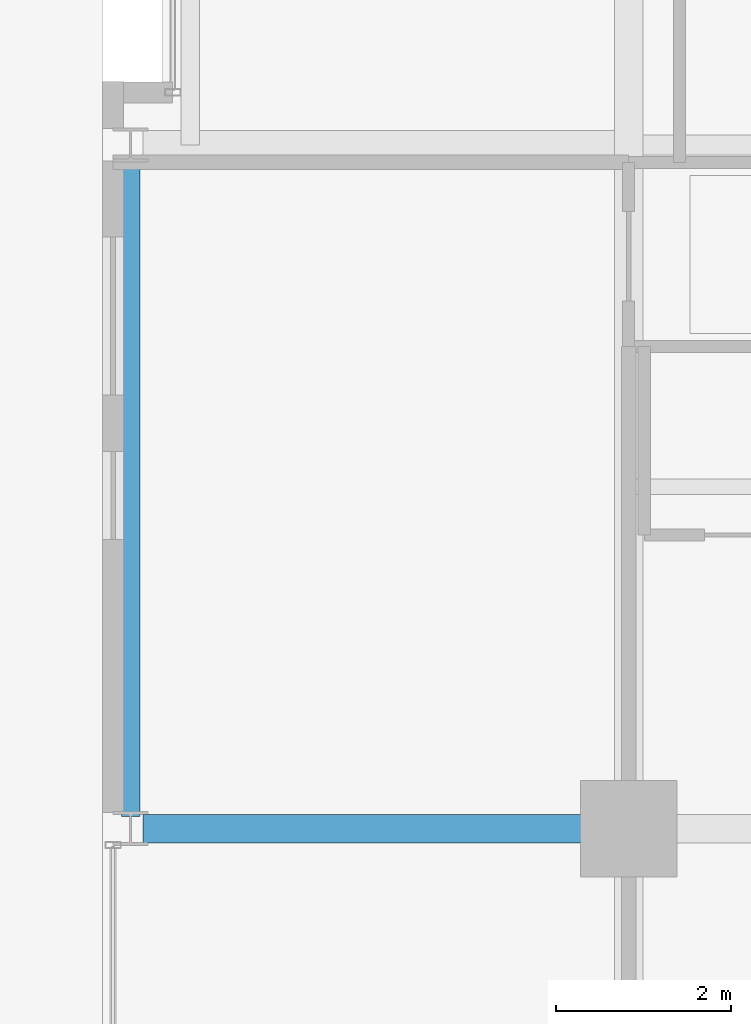
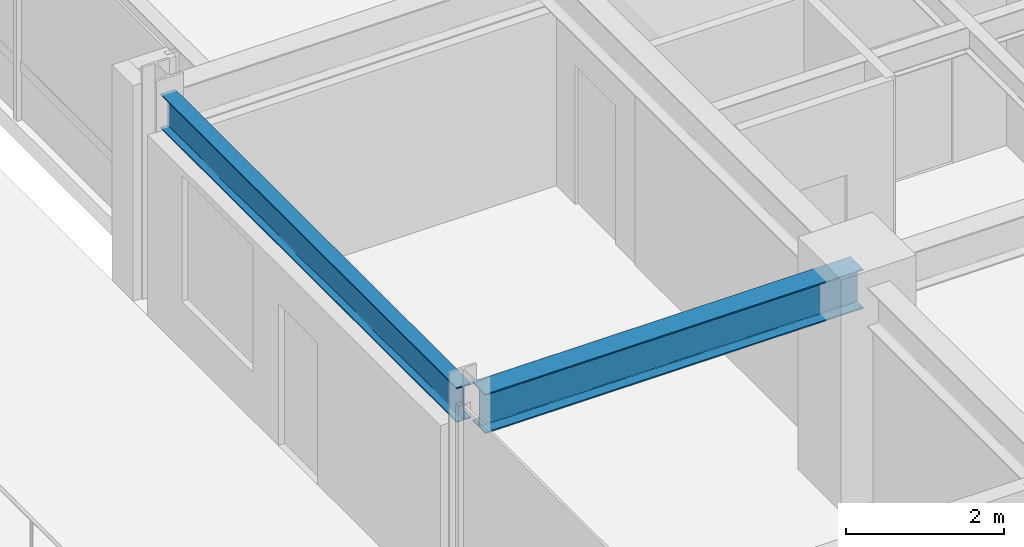
# One storey, part 3 of 32: 2 beams.
"""IFC4 building model written with IfcOpenShell, lengths in metres."""

from ifc_helpers import new_model, si_unit, direction, frame, origin, origin_2d, place, context, subcontext, project, spatial, i_section, extrude, material, material_profile, profile_set, type_object, element, save


model = new_model("IFC4")

# Units and contexts
model_context = context("Model", 3, precision=1e-05, world=origin(), true_north=direction((0.0, 1.0)))
body_context = subcontext(model_context, "Body", "Model", "MODEL_VIEW")
ifc_project = project(units=[si_unit("LENGTHUNIT", "METRE"), si_unit("AREAUNIT", "SQUARE_METRE"), si_unit("VOLUMEUNIT", "CUBIC_METRE"), si_unit("PLANEANGLEUNIT", "RADIAN"), si_unit("MASSUNIT", "GRAM", prefix="KILO")], contexts=[model_context])

# Site, building, storey
site_placement = place(None, origin())
site = spatial("IfcSite", under=ifc_project, at=site_placement, CompositionType="ELEMENT")
building_placement = place(site_placement, origin())
building = spatial("IfcBuilding", under=site, at=building_placement, Name="Drelvath Grand Hotel", CompositionType="ELEMENT")
storey_placement = place(building_placement, frame((0.0, 0.0, 205.10009765625)))
storey = spatial("IfcBuildingStorey", under=building, at=storey_placement, Name="L53", CompositionType="ELEMENT", Elevation=205.10009765625)

# Beams
ifc_material = material(Name="Steel ASTM A992 Gr 50", Category="steel")
ifc_material_profile_1 = material_profile(ifc_material, i_section(OverallWidth=0.210205078125, OverallDepth=0.53662109375, WebThickness=0.010986328125, FlangeThickness=0.017333984375, FilletRadius=0.01806640625, at=origin_2d()), Name="W21X68")
ifc_profile_set_1 = profile_set([ifc_material_profile_1], Name="Steel ASTM A992 Gr 50")
beam_type_1 = type_object("IfcBeamType", Name="Perimeter Spandrel Beam W21X68", PredefinedType="SPANDREL", material=ifc_profile_set_1)
beam_1_placement = place(storey_placement, frame((-21.8798828125, 10.93994140625, 3.071533203125), z_axis=(0.0, 1.0, 0.0), x_axis=(-1.0, 0.0, 0.0)))
element("IfcBeam", 1, at=beam_1_placement, inside=storey, type_object=beam_type_1, Name="L53 Spandrel West S", PredefinedType="SPANDREL", context=body_context, shape_type="SweptSolid", body=[
    extrude(i_section(OverallWidth=0.210205078125, OverallDepth=0.53662109375, WebThickness=0.010986328125, FlangeThickness=0.017333984375, FilletRadius=0.01806640625, at=origin_2d()), origin(), (0.0, 0.0, 1.0), 7.52001953125),
])
ifc_material_profile_2 = material_profile(ifc_material, i_section(OverallWidth=0.323974609375, OverallDepth=0.611083984375, WebThickness=0.0126953125, FlangeThickness=0.01904296875, FilletRadius=0.02197265625, at=origin_2d()), Name="W24X104")
ifc_profile_set_2 = profile_set([ifc_material_profile_2], Name="Steel ASTM A992 Gr 50")
beam_type_2 = type_object("IfcBeamType", Name="Primary Floor Girder W24X104", PredefinedType="BEAM", material=ifc_profile_set_2)
beam_2_placement = place(storey_placement, frame((-21.739990234375, 10.800048828125, 3.034423828125), z_axis=(1.0, 0.0, 0.0), x_axis=(0.0, 1.0, 0.0)))
element("IfcBeam", 2, at=beam_2_placement, inside=storey, type_object=beam_type_2, Name="L53 West Grid Girder C", PredefinedType="BEAM", context=body_context, shape_type="SweptSolid", body=[
    extrude(i_section(OverallWidth=0.323974609375, OverallDepth=0.611083984375, WebThickness=0.0126953125, FlangeThickness=0.01904296875, FilletRadius=0.02197265625, at=origin_2d()), origin(), (0.0, 0.0, 1.0), 5.5400390625),
])

save(model, "model.ifc")
